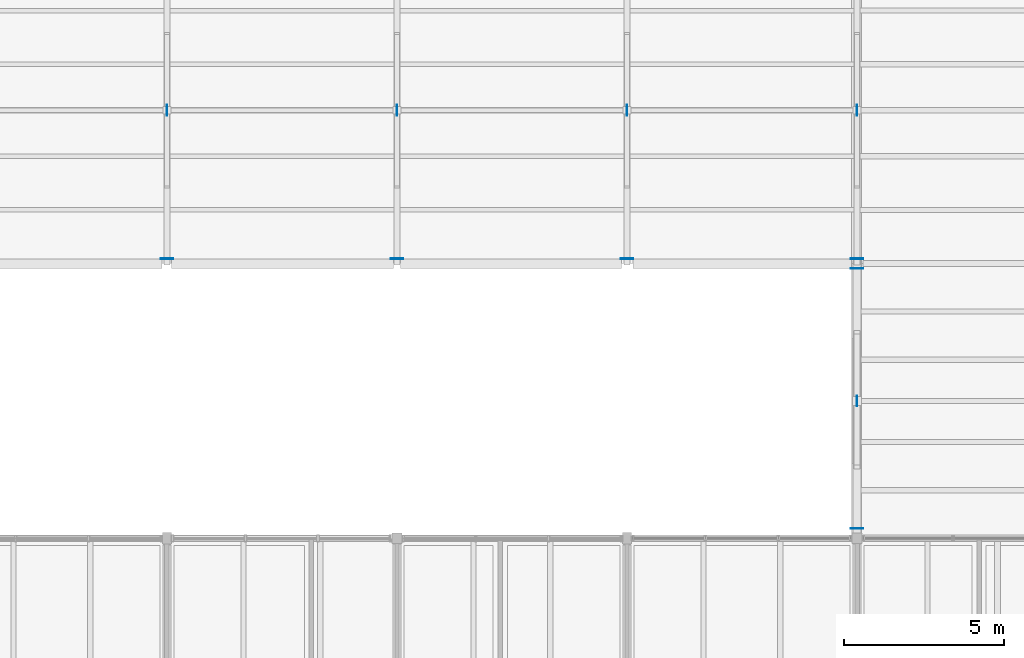
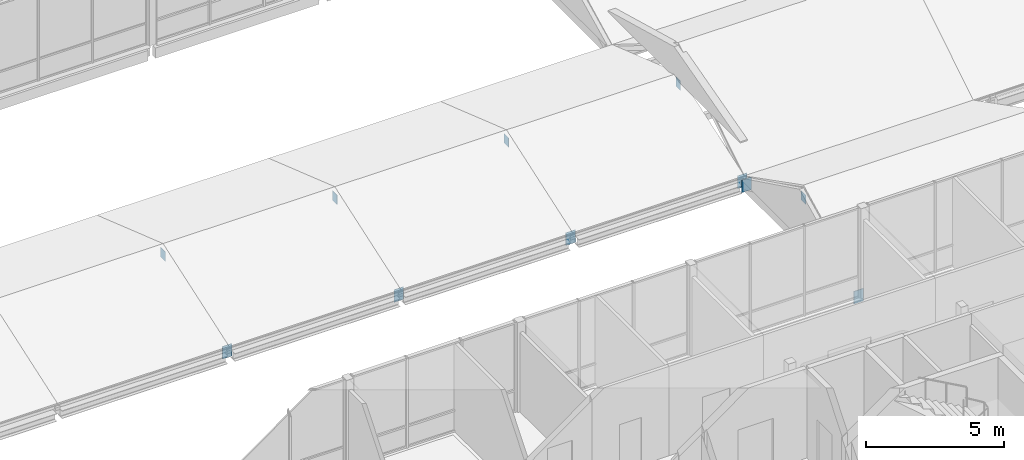
# One storey, part 74 of 115: 11 plates.
"""IFC4 building model written with IfcOpenShell, lengths in metres."""

from ifc_helpers import new_model, si_unit, direction, frame, origin, origin_2d, place, context, subcontext, project, spatial, rectangle, extrude, material, layer, layer_set, type_object, element, save


model = new_model("IFC4")

# Units and contexts
model_context = context("Model", 3, precision=1e-05, world=origin(), true_north=direction((0.0, 1.0)))
body_context = subcontext(model_context, "Body", "Model", "MODEL_VIEW")
ifc_project = project(units=[si_unit("LENGTHUNIT", "METRE"), si_unit("AREAUNIT", "SQUARE_METRE"), si_unit("VOLUMEUNIT", "CUBIC_METRE"), si_unit("PLANEANGLEUNIT", "RADIAN"), si_unit("MASSUNIT", "GRAM", prefix="KILO")], contexts=[model_context])

# Site, building, storey
site_placement = place(None, origin())
site = spatial("IfcSite", under=ifc_project, at=site_placement, CompositionType="ELEMENT")
building_placement = place(site_placement, origin())
building = spatial("IfcBuilding", under=site, at=building_placement, Name="Hawrajan Terrace Health Centre", CompositionType="ELEMENT")
storey_placement = place(building_placement, frame((0.0, 0.0, 9.0)))
storey = spatial("IfcBuildingStorey", under=building, at=storey_placement, Name="L02", CompositionType="ELEMENT", Elevation=9.0)

# Plates
ifc_material = material(Name="Steel S355", Category="steel")
ifc_layer_1 = layer(ifc_material, 0.02001953125)
ifc_layer_set_1 = layer_set([ifc_layer_1], Name="Steel S355")
plate_type_1 = type_object("IfcPlateType", Name="HoldDownShoe_S355_20", PredefinedType="SHEET", material=ifc_layer_set_1)
for number, where, z_axis, x_axis, name in (
    (1, (40.60009765625, 27.35009765625, -0.5), (0.0, 0.0, 1.0), (1.0, 0.0, 0.0), "Pinned uplift hold-down shoe W-G06-TRS-SHOE-S"),
    (2, (47.800048828125, 27.35009765625, -0.5), (0.0, 0.0, 1.0), (1.0, 0.0, 0.0), "Pinned uplift hold-down shoe W-G07-TRS-SHOE-S"),
    (3, (55.0, 27.35009765625, -0.5), (0.0, 0.0, 1.0), (1.0, 0.0, 0.0), "Pinned uplift hold-down shoe W-G08-TRS-SHOE-S"),
    (4, (62.199951171875, 27.35009765625, -0.5), (0.0, 0.0, 1.0), (1.0, 0.0, 0.0), "Pinned uplift hold-down shoe W-G09-TRS-SHOE-S"),
    (5, (62.199951171875, 18.909912109375, -0.5), (0.0, 0.0, 1.0), (1.0, 0.0, 0.0), "Pinned uplift hold-down shoe W-G09-TRL-SC-SHOE-S"),
    (6, (62.199951171875, 27.050048828125, -0.5), (0.0, 0.0, 1.0), (1.0, 0.0, 0.0), "Pinned uplift hold-down shoe W-G09-TRL-SC-SHOE-N"),
):
    element("IfcPlate", number, at=place(storey_placement, frame(where, z_axis=z_axis, x_axis=x_axis)), inside=storey, type_object=plate_type_1, Name=name, PredefinedType="SHEET", context=body_context, shape_type="SweptSolid", body=[
        extrude(rectangle(XDim=0.39990234375, YDim=0.02001953125, at=origin_2d()), origin(), (0.0, 0.0, 1.0), 0.56005859375),
    ])
ifc_layer_2 = layer(ifc_material, 0.011962890625)
ifc_layer_set_2 = layer_set([ifc_layer_2], Name="Steel S355")
plate_type_2 = type_object("IfcPlateType", Name="KnifePlate_S355_12", PredefinedType="SHEET", material=ifc_layer_set_2)
for number, where, z_axis, x_axis, name in (
    (7, (40.60009765625, 32.0, 1.050048828125), (0.0, 0.0, 1.0), (1.0, 0.0, 0.0), "Slotted steel apex knife plate W-G06-TRS"),
    (8, (47.800048828125, 32.0, 1.050048828125), (0.0, 0.0, 1.0), (1.0, 0.0, 0.0), "Slotted steel apex knife plate W-G07-TRS"),
    (9, (55.0, 32.0, 1.050048828125), (0.0, 0.0, 1.0), (1.0, 0.0, 0.0), "Slotted steel apex knife plate W-G08-TRS"),
    (10, (62.199951171875, 32.0, 1.050048828125), (0.0, 0.0, 1.0), (1.0, 0.0, 0.0), "Slotted steel apex knife plate W-G09-TRS"),
    (11, (62.199951171875, 22.89990234375, 1.51708984375), (0.0, 0.0, 1.0), (1.0, 0.0, 0.0), "Slotted steel apex knife plate W-G09-TRL-SC"),
):
    element("IfcPlate", number, at=place(storey_placement, frame(where, z_axis=z_axis, x_axis=x_axis)), inside=storey, type_object=plate_type_2, Name=name, PredefinedType="SHEET", context=body_context, shape_type="SweptSolid", body=[
        extrude(rectangle(XDim=0.011962890625, YDim=0.340087890625, at=origin_2d()), origin(), (0.0, 0.0, 1.0), 0.419921875),
    ])

save(model, "model.ifc")
